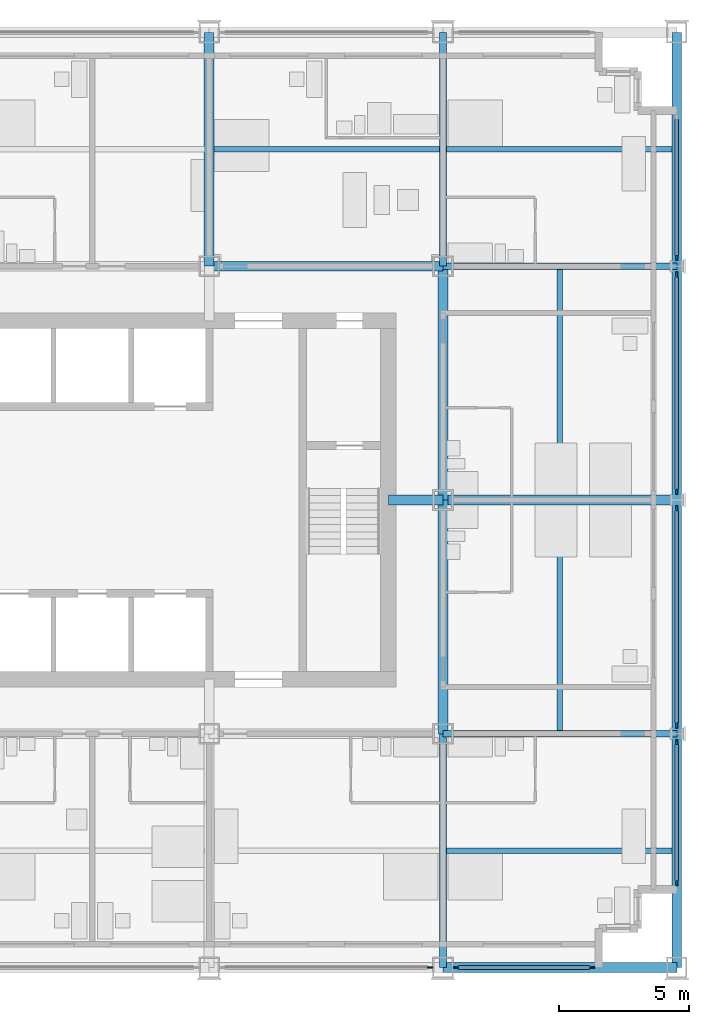
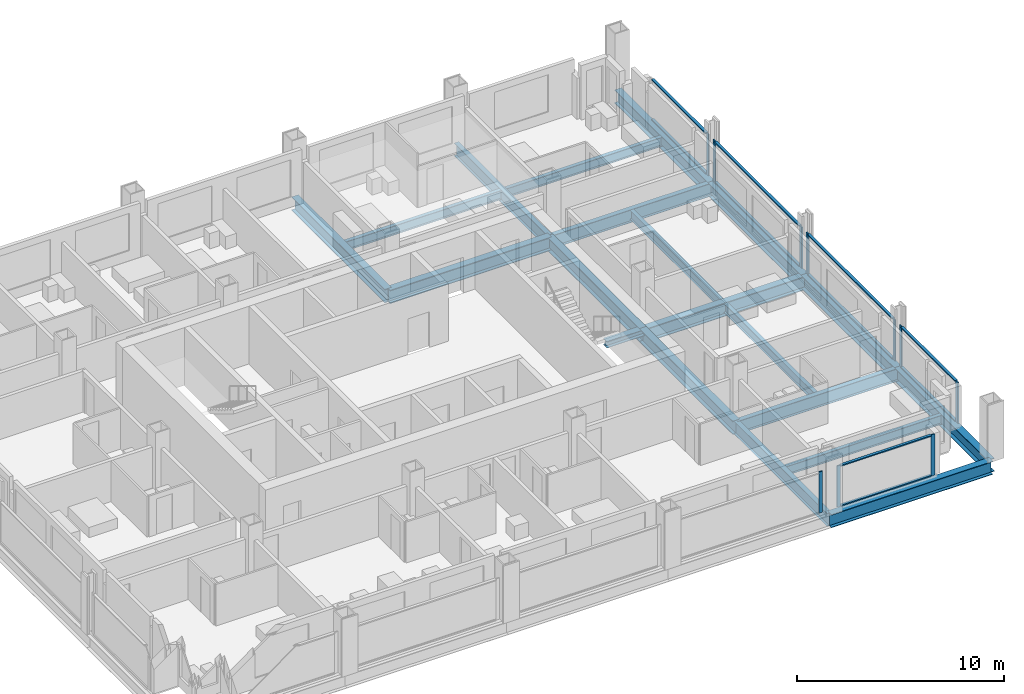
# One storey, part 5 of 16: 21 members, 19 beams, 6 elements without a shape of their own.
"""IFC4 building model written with IfcOpenShell, lengths in metres."""

from ifc_helpers import new_model, si_unit, direction, frame, origin, origin_2d, place, context, subcontext, project, spatial, rectangle, i_section, extrude, material, material_profile, profile_set, type_object, element, aggregate, save


model = new_model("IFC4")

# Units and contexts
model_context = context("Model", 3, precision=1e-05, world=origin(), true_north=direction((0.0, 1.0)))
body_context = subcontext(model_context, "Body", "Model", "MODEL_VIEW")
ifc_project = project(units=[si_unit("LENGTHUNIT", "METRE"), si_unit("AREAUNIT", "SQUARE_METRE"), si_unit("VOLUMEUNIT", "CUBIC_METRE"), si_unit("PLANEANGLEUNIT", "RADIAN"), si_unit("MASSUNIT", "GRAM", prefix="KILO")], contexts=[model_context])

# Site, building, storey
site_placement = place(None, origin())
site = spatial("IfcSite", under=ifc_project, at=site_placement, CompositionType="ELEMENT")
building_placement = place(site_placement, origin())
building = spatial("IfcBuilding", under=site, at=building_placement, Name="Loomwork Tower", CompositionType="ELEMENT")
storey_placement = place(building_placement, frame((0.0, 0.0, 135.0)))
storey = spatial("IfcBuildingStorey", under=building, at=storey_placement, Name="L36", CompositionType="ELEMENT", Elevation=135.0)

# Beams
ifc_material_1 = material(Name="Steel ASTM A992", Category="steel")
ifc_material_profile_1 = material_profile(ifc_material_1, i_section(OverallWidth=0.383544921875, OverallDepth=0.794921875, WebThickness=0.02099609375, FlangeThickness=0.0380859375, at=origin_2d()), Name="W30x235")
ifc_profile_set_1 = profile_set([ifc_material_profile_1], Name="Steel ASTM A992")
beam_type_1 = type_object("IfcBeamType", Name="CORE FLANK GIRDER W30x235", PredefinedType="BEAM", material=ifc_profile_set_1)
for number, where, z_axis, x_axis, name in (
    (1, (36.0, 18.0, -0.597412109375), (1.0, 0.0, 0.0), (0.0, 1.0, 0.0), "Core Flank Girder F/6-F/7 L36"),
    (2, (27.0, 27.0, -0.597412109375), (1.0, 0.0, 0.0), (0.0, 1.0, 0.0), "Core Flank Girder G/5-G/6 L36"),
    (3, (27.0, 27.0, -0.597412109375), (0.0, 1.0, 0.0), (-1.0, 0.0, 0.0), "Core Flank Girder G/5-H/5 L36"),
    (4, (36.0, 9.0, -0.597412109375), (0.0, 1.0, 0.0), (-1.0, 0.0, 0.0), "Core Flank Girder E/6-F/6 L36"),
    (5, (36.0, 18.0, -0.597412109375), (0.0, 1.0, 0.0), (-1.0, 0.0, 0.0), "Core Flank Girder F/6-G/6 L36"),
):
    element("IfcBeam", number, at=place(storey_placement, frame(where, z_axis=z_axis, x_axis=x_axis)), inside=storey, type_object=beam_type_1, Name=name, PredefinedType="BEAM", context=body_context, shape_type="SweptSolid", body=[
        extrude(i_section(OverallWidth=0.383544921875, OverallDepth=0.794921875, WebThickness=0.02099609375, FlangeThickness=0.0380859375, at=origin_2d()), origin(), (0.0, 0.0, 1.0), 9.0),
    ])

# Member
ifc_material_2 = material(Name="Steel ASTM A992", Category="steel")
ifc_material_profile_2 = material_profile(ifc_material_2, i_section(OverallWidth=0.373291015625, OverallDepth=0.373291015625, WebThickness=0.016357421875, FlangeThickness=0.026123046875, at=origin_2d()), Name="W14x132")
ifc_profile_set_2 = profile_set([ifc_material_profile_2], Name="Steel ASTM A992")
member_type_1 = type_object("IfcMemberType", Name="CORE LINK STRUT W14x132", PredefinedType="STRUT", material=ifc_profile_set_2)
member_1_placement = place(storey_placement, frame((36.0, 18.0, -0.38671875), z_axis=(-1.0, 0.0, 0.0), x_axis=(0.0, -1.0, 0.0)))
element("IfcMember", 6, at=member_1_placement, inside=storey, type_object=member_type_1, Name="Core link strut F/6-33.900,18.000 L36", PredefinedType="STRUT", context=body_context, shape_type="SweptSolid", body=[
    extrude(i_section(OverallWidth=0.373291015625, OverallDepth=0.373291015625, WebThickness=0.016357421875, FlangeThickness=0.026123046875, at=origin_2d()), origin(), (0.0, 0.0, 1.0), 2.10009765625),
])

# Beams
ifc_material_3 = material(Name="Steel ASTM A992", Category="steel")
ifc_material_profile_3 = material_profile(ifc_material_3, i_section(OverallWidth=0.2666015625, OverallDepth=0.761962890625, WebThickness=0.014404296875, FlangeThickness=0.021484375, at=origin_2d()), Name="W30x116")
ifc_profile_set_3 = profile_set([ifc_material_profile_3], Name="Steel ASTM A992")
beam_type_2 = type_object("IfcBeamType", Name="FLOOR GIRDER W30x116", PredefinedType="BEAM", material=ifc_profile_set_3)
for number, where, z_axis, x_axis, name in (
    (7, (36.0, 9.0, -0.5810546875), (1.0, 0.0, 0.0), (0.0, 1.0, 0.0), "Floor Girder E/6-E/7 L36"),
    (8, (36.0, 27.0, -0.5810546875), (1.0, 0.0, 0.0), (0.0, 1.0, 0.0), "Floor Girder G/6-G/7 L36"),
    (9, (36.0, 0.0, -0.5810546875), (0.0, 1.0, 0.0), (-1.0, 0.0, 0.0), "Floor Girder D/6-E/6 L36"),
    (10, (36.0, 27.0, -0.5810546875), (0.0, 1.0, 0.0), (-1.0, 0.0, 0.0), "Floor Girder G/6-H/6 L36"),
):
    element("IfcBeam", number, at=place(storey_placement, frame(where, z_axis=z_axis, x_axis=x_axis)), inside=storey, type_object=beam_type_2, Name=name, PredefinedType="BEAM", context=body_context, shape_type="SweptSolid", body=[
        extrude(i_section(OverallWidth=0.2666015625, OverallDepth=0.761962890625, WebThickness=0.014404296875, FlangeThickness=0.021484375, at=origin_2d()), origin(), (0.0, 0.0, 1.0), 9.0),
    ])
ifc_material_4 = material(Name="Steel ASTM A992", Category="steel")
ifc_material_profile_4 = material_profile(ifc_material_4, i_section(OverallWidth=0.2109375, OverallDepth=0.53857421875, WebThickness=0.011474609375, FlangeThickness=0.018798828125, at=origin_2d()), Name="W21x73")
ifc_profile_set_4 = profile_set([ifc_material_profile_4], Name="Steel ASTM A992")
beam_type_3 = type_object("IfcBeamType", Name="FLOOR JOIST W21x73", PredefinedType="JOIST", material=ifc_profile_set_4)
beam_1_placement = place(storey_placement, frame((27.19091796875, 31.5, -0.46923828125), z_axis=(1.0, 0.0, 0.0), x_axis=(0.0, 1.0, 0.0)))
element("IfcBeam", 11, at=beam_1_placement, inside=storey, type_object=beam_type_3, Name="Floor Joist 27.000,31.500-36.000,31.500 L36", PredefinedType="JOIST", context=body_context, shape_type="SweptSolid", body=[
    extrude(i_section(OverallWidth=0.2109375, OverallDepth=0.53857421875, WebThickness=0.011474609375, FlangeThickness=0.018798828125, at=origin_2d()), origin(), (0.0, 0.0, 1.0), 8.676025390625),
])
beam_2_placement = place(storey_placement, frame((36.133056640625, 4.5, -0.46923828125), z_axis=(1.0, 0.0, 0.0), x_axis=(0.0, 1.0, 0.0)))
element("IfcBeam", 12, at=beam_2_placement, inside=storey, type_object=beam_type_3, Name="Floor Joist 36.000,4.500-45.000,4.500 L36", PredefinedType="JOIST", context=body_context, shape_type="SweptSolid", body=[
    extrude(i_section(OverallWidth=0.2109375, OverallDepth=0.53857421875, WebThickness=0.011474609375, FlangeThickness=0.018798828125, at=origin_2d()), origin(), (0.0, 0.0, 1.0), 8.677001953125),
])
for number, where, z_axis, x_axis, name in (
    (13, (40.5, 9.133056640625, -0.46923828125), (0.0, 1.0, 0.0), (-1.0, 0.0, 0.0), "Floor Joist 40.500,9.000-40.500,18.000 L36"),
    (14, (40.5, 18.19091796875, -0.46923828125), (0.0, 1.0, 0.0), (-1.0, 0.0, 0.0), "Floor Joist 40.500,18.000-40.500,27.000 L36"),
):
    element("IfcBeam", number, at=place(storey_placement, frame(where, z_axis=z_axis, x_axis=x_axis)), inside=storey, type_object=beam_type_3, Name=name, PredefinedType="JOIST", context=body_context, shape_type="SweptSolid", body=[
        extrude(i_section(OverallWidth=0.2109375, OverallDepth=0.53857421875, WebThickness=0.011474609375, FlangeThickness=0.018798828125, at=origin_2d()), origin(), (0.0, 0.0, 1.0), 8.676025390625),
    ])
beam_3_placement = place(storey_placement, frame((36.133056640625, 31.5, -0.46923828125), z_axis=(1.0, 0.0, 0.0), x_axis=(0.0, 1.0, 0.0)))
element("IfcBeam", 15, at=beam_3_placement, inside=storey, type_object=beam_type_3, Name="Floor Joist 36.000,31.500-45.000,31.500 L36", PredefinedType="JOIST", context=body_context, shape_type="SweptSolid", body=[
    extrude(i_section(OverallWidth=0.2109375, OverallDepth=0.53857421875, WebThickness=0.011474609375, FlangeThickness=0.018798828125, at=origin_2d()), origin(), (0.0, 0.0, 1.0), 8.677001953125),
])

# Curtain wall, member
ifc_material_5 = material(Name="Aluminium curtain wall frame", Category="aluminium")
curtain_wall_type = type_object("IfcCurtainWallType", Name="Outer skin glazing hotel", PredefinedType="NOTDEFINED", material=ifc_material_5)
curtain_wall_1_placement = place(storey_placement, origin())
curtain_wall_1 = element("IfcCurtainWall", 16, at=curtain_wall_1_placement, inside=storey, type_object=curtain_wall_type, Name="Outer skin glazing hotel cw/S-27", PredefinedType="NOTDEFINED")
ifc_material_6 = material(Name="Aluminium curtain wall frame", Category="aluminium")
ifc_material_profile_5 = material_profile(ifc_material_6, rectangle(XDim=0.06494140625, YDim=0.199951171875, at=origin_2d()), Name="AL 65x200")
ifc_profile_set_5 = profile_set([ifc_material_profile_5], Name="Aluminium curtain wall frame")
member_type_2 = type_object("IfcMemberType", Name="Outer skin glazing hotel mullion", PredefinedType="MULLION", material=ifc_profile_set_5)
member_2_placement = place(storey_placement, frame((35.5, 0.0, 0.0), z_axis=(0.0, 0.0, 1.0), x_axis=(0.0, 1.0, 0.0)))
member_2 = element("IfcMember", 17, at=member_2_placement, type_object=member_type_2, Name="CW1 mullion 2", PredefinedType="MULLION", context=body_context, shape_type="SweptSolid", body=[
    extrude(rectangle(XDim=0.06494140625, YDim=0.199951171875, at=origin_2d()), origin(), (0.0, 0.0, 1.0), 2.420166015625),
])
aggregate(curtain_wall_1, [member_2])

# Curtain wall, members
curtain_wall_2_placement = place(storey_placement, origin())
curtain_wall_2 = element("IfcCurtainWall", 18, at=curtain_wall_2_placement, inside=storey, type_object=curtain_wall_type, Name="Outer skin glazing hotel cw/S-36", PredefinedType="NOTDEFINED")
member_3_placement = place(storey_placement, frame((36.5, 0.0, 0.0), z_axis=(0.0, 0.0, 1.0), x_axis=(0.0, 1.0, 0.0)))
member_3 = element("IfcMember", 19, at=member_3_placement, type_object=member_type_2, Name="CW1 mullion 1", PredefinedType="MULLION", context=body_context, shape_type="SweptSolid", body=[
    extrude(rectangle(XDim=0.06494140625, YDim=0.199951171875, at=origin_2d()), origin(), (0.0, 0.0, 1.0), 2.420166015625),
])
member_4_placement = place(storey_placement, frame((41.75, 0.0, 0.0), z_axis=(0.0, 0.0, 1.0), x_axis=(0.0, 1.0, 0.0)))
member_4 = element("IfcMember", 20, at=member_4_placement, type_object=member_type_2, Name="CW1 mullion 2", PredefinedType="MULLION", context=body_context, shape_type="SweptSolid", body=[
    extrude(rectangle(XDim=0.06494140625, YDim=0.199951171875, at=origin_2d()), origin(), (0.0, 0.0, 1.0), 2.420166015625),
])

curtain_wall_3_placement = place(storey_placement, origin())
curtain_wall_3 = element("IfcCurtainWall", 21, at=curtain_wall_3_placement, inside=storey, type_object=curtain_wall_type, Name="Outer skin glazing hotel cw/E-0", PredefinedType="NOTDEFINED")
member_5_placement = place(storey_placement, frame((45.0, 3.25, 0.0), z_axis=(0.0, 0.0, 1.0), x_axis=(-1.0, 0.0, 0.0)))
member_5 = element("IfcMember", 22, at=member_5_placement, type_object=member_type_2, Name="CW1 mullion 1", PredefinedType="MULLION", context=body_context, shape_type="SweptSolid", body=[
    extrude(rectangle(XDim=0.06494140625, YDim=0.199951171875, at=origin_2d()), origin(), (0.0, 0.0, 1.0), 2.420166015625),
])
member_6_placement = place(storey_placement, frame((45.0, 8.678955078125, 0.0), z_axis=(0.0, 0.0, 1.0), x_axis=(-1.0, 0.0, 0.0)))
member_6 = element("IfcMember", 23, at=member_6_placement, type_object=member_type_2, Name="CW1 mullion 2", PredefinedType="MULLION", context=body_context, shape_type="SweptSolid", body=[
    extrude(rectangle(XDim=0.06494140625, YDim=0.199951171875, at=origin_2d()), origin(), (0.0, 0.0, 1.0), 2.420166015625),
])

curtain_wall_4_placement = place(storey_placement, origin())
curtain_wall_4 = element("IfcCurtainWall", 24, at=curtain_wall_4_placement, inside=storey, type_object=curtain_wall_type, Name="Outer skin glazing hotel cw/E-9", PredefinedType="NOTDEFINED")
member_7_placement = place(storey_placement, frame((45.0, 9.321044921875, 0.0), z_axis=(0.0, 0.0, 1.0), x_axis=(-1.0, 0.0, 0.0)))
member_7 = element("IfcMember", 25, at=member_7_placement, type_object=member_type_2, Name="CW1 mullion 1", PredefinedType="MULLION", context=body_context, shape_type="SweptSolid", body=[
    extrude(rectangle(XDim=0.06494140625, YDim=0.199951171875, at=origin_2d()), origin(), (0.0, 0.0, 1.0), 2.420166015625),
])
member_8_placement = place(storey_placement, frame((45.0, 17.678955078125, 0.0), z_axis=(0.0, 0.0, 1.0), x_axis=(-1.0, 0.0, 0.0)))
member_8 = element("IfcMember", 26, at=member_8_placement, type_object=member_type_2, Name="CW1 mullion 2", PredefinedType="MULLION", context=body_context, shape_type="SweptSolid", body=[
    extrude(rectangle(XDim=0.06494140625, YDim=0.199951171875, at=origin_2d()), origin(), (0.0, 0.0, 1.0), 2.420166015625),
])

curtain_wall_5_placement = place(storey_placement, origin())
curtain_wall_5 = element("IfcCurtainWall", 27, at=curtain_wall_5_placement, inside=storey, type_object=curtain_wall_type, Name="Outer skin glazing hotel cw/E-18", PredefinedType="NOTDEFINED")
member_9_placement = place(storey_placement, frame((45.0, 18.321044921875, 0.0), z_axis=(0.0, 0.0, 1.0), x_axis=(-1.0, 0.0, 0.0)))
member_9 = element("IfcMember", 28, at=member_9_placement, type_object=member_type_2, Name="CW1 mullion 1", PredefinedType="MULLION", context=body_context, shape_type="SweptSolid", body=[
    extrude(rectangle(XDim=0.06494140625, YDim=0.199951171875, at=origin_2d()), origin(), (0.0, 0.0, 1.0), 2.420166015625),
])
member_10_placement = place(storey_placement, frame((45.0, 26.678955078125, 0.0), z_axis=(0.0, 0.0, 1.0), x_axis=(-1.0, 0.0, 0.0)))
member_10 = element("IfcMember", 29, at=member_10_placement, type_object=member_type_2, Name="CW1 mullion 2", PredefinedType="MULLION", context=body_context, shape_type="SweptSolid", body=[
    extrude(rectangle(XDim=0.06494140625, YDim=0.199951171875, at=origin_2d()), origin(), (0.0, 0.0, 1.0), 2.420166015625),
])

# Curtain wall, member
curtain_wall_6_placement = place(storey_placement, origin())
curtain_wall_6 = element("IfcCurtainWall", 30, at=curtain_wall_6_placement, inside=storey, type_object=curtain_wall_type, Name="Outer skin glazing hotel cw/E-27", PredefinedType="NOTDEFINED")
member_11_placement = place(storey_placement, frame((45.0, 27.321044921875, 0.0), z_axis=(0.0, 0.0, 1.0), x_axis=(-1.0, 0.0, 0.0)))
member_11 = element("IfcMember", 31, at=member_11_placement, type_object=member_type_2, Name="CW1 mullion 1", PredefinedType="MULLION", context=body_context, shape_type="SweptSolid", body=[
    extrude(rectangle(XDim=0.06494140625, YDim=0.199951171875, at=origin_2d()), origin(), (0.0, 0.0, 1.0), 2.420166015625),
])

# Member
ifc_material_7 = material(Name="Aluminium curtain wall frame", Category="aluminium")
ifc_material_profile_6 = material_profile(ifc_material_7, rectangle(XDim=0.14990234375, YDim=0.06494140625, at=origin_2d()), Name="AL 65x150")
ifc_profile_set_6 = profile_set([ifc_material_profile_6], Name="Aluminium curtain wall frame")
member_type_3 = type_object("IfcMemberType", Name="Outer skin glazing hotel transom", PredefinedType="USERDEFINED", material=ifc_profile_set_6)
member_12_placement = place(storey_placement, frame((36.60009765625, 0.0, 0.032470703125), z_axis=(1.0, 0.0, 0.0), x_axis=(0.0, 1.0, 0.0)))
member_12 = element("IfcMember", 32, at=member_12_placement, type_object=member_type_3, Name="CW1 transom 1.1", ObjectType="TRANSOM", PredefinedType="USERDEFINED", context=body_context, shape_type="SweptSolid", body=[
    extrude(rectangle(XDim=0.14990234375, YDim=0.06494140625, at=origin_2d()), origin(), (0.0, 0.0, 1.0), 5.0498046875),
])

member_13_placement = place(storey_placement, frame((36.60009765625, 0.0, 2.3876953125), z_axis=(1.0, 0.0, 0.0), x_axis=(0.0, 1.0, 0.0)))
member_13 = element("IfcMember", 33, at=member_13_placement, type_object=member_type_3, Name="CW1 transom 1.2", ObjectType="TRANSOM", PredefinedType="USERDEFINED", context=body_context, shape_type="SweptSolid", body=[
    extrude(rectangle(XDim=0.14990234375, YDim=0.06494140625, at=origin_2d()), origin(), (0.0, 0.0, 1.0), 5.0498046875),
])

aggregate(curtain_wall_2, [member_3, member_4, member_12, member_13])

member_14_placement = place(storey_placement, frame((45.0, 3.35009765625, 0.032470703125), z_axis=(0.0, 1.0, 0.0), x_axis=(-1.0, 0.0, 0.0)))
member_14 = element("IfcMember", 34, at=member_14_placement, type_object=member_type_3, Name="CW1 transom 1.1", ObjectType="TRANSOM", PredefinedType="USERDEFINED", context=body_context, shape_type="SweptSolid", body=[
    extrude(rectangle(XDim=0.14990234375, YDim=0.06494140625, at=origin_2d()), origin(), (0.0, 0.0, 1.0), 5.22900390625),
])

member_15_placement = place(storey_placement, frame((45.0, 3.35009765625, 2.3876953125), z_axis=(0.0, 1.0, 0.0), x_axis=(-1.0, 0.0, 0.0)))
member_15 = element("IfcMember", 35, at=member_15_placement, type_object=member_type_3, Name="CW1 transom 1.2", ObjectType="TRANSOM", PredefinedType="USERDEFINED", context=body_context, shape_type="SweptSolid", body=[
    extrude(rectangle(XDim=0.14990234375, YDim=0.06494140625, at=origin_2d()), origin(), (0.0, 0.0, 1.0), 5.22900390625),
])

aggregate(curtain_wall_3, [member_5, member_6, member_14, member_15])

member_16_placement = place(storey_placement, frame((45.0, 9.4208984375, 0.032470703125), z_axis=(0.0, 1.0, 0.0), x_axis=(-1.0, 0.0, 0.0)))
member_16 = element("IfcMember", 36, at=member_16_placement, type_object=member_type_3, Name="CW1 transom 1.1", ObjectType="TRANSOM", PredefinedType="USERDEFINED", context=body_context, shape_type="SweptSolid", body=[
    extrude(rectangle(XDim=0.14990234375, YDim=0.06494140625, at=origin_2d()), origin(), (0.0, 0.0, 1.0), 8.158203125),
])

member_17_placement = place(storey_placement, frame((45.0, 9.4208984375, 2.3876953125), z_axis=(0.0, 1.0, 0.0), x_axis=(-1.0, 0.0, 0.0)))
member_17 = element("IfcMember", 37, at=member_17_placement, type_object=member_type_3, Name="CW1 transom 1.2", ObjectType="TRANSOM", PredefinedType="USERDEFINED", context=body_context, shape_type="SweptSolid", body=[
    extrude(rectangle(XDim=0.14990234375, YDim=0.06494140625, at=origin_2d()), origin(), (0.0, 0.0, 1.0), 8.158203125),
])

aggregate(curtain_wall_4, [member_7, member_8, member_16, member_17])

member_18_placement = place(storey_placement, frame((45.0, 18.4208984375, 0.032470703125), z_axis=(0.0, 1.0, 0.0), x_axis=(-1.0, 0.0, 0.0)))
member_18 = element("IfcMember", 38, at=member_18_placement, type_object=member_type_3, Name="CW1 transom 1.1", ObjectType="TRANSOM", PredefinedType="USERDEFINED", context=body_context, shape_type="SweptSolid", body=[
    extrude(rectangle(XDim=0.14990234375, YDim=0.06494140625, at=origin_2d()), origin(), (0.0, 0.0, 1.0), 8.158203125),
])

member_19_placement = place(storey_placement, frame((45.0, 18.4208984375, 2.3876953125), z_axis=(0.0, 1.0, 0.0), x_axis=(-1.0, 0.0, 0.0)))
member_19 = element("IfcMember", 39, at=member_19_placement, type_object=member_type_3, Name="CW1 transom 1.2", ObjectType="TRANSOM", PredefinedType="USERDEFINED", context=body_context, shape_type="SweptSolid", body=[
    extrude(rectangle(XDim=0.14990234375, YDim=0.06494140625, at=origin_2d()), origin(), (0.0, 0.0, 1.0), 8.158203125),
])

aggregate(curtain_wall_5, [member_9, member_10, member_18, member_19])

member_20_placement = place(storey_placement, frame((45.0, 27.4208984375, 0.032470703125), z_axis=(0.0, 1.0, 0.0), x_axis=(-1.0, 0.0, 0.0)))
member_20 = element("IfcMember", 40, at=member_20_placement, type_object=member_type_3, Name="CW1 transom 1.1", ObjectType="TRANSOM", PredefinedType="USERDEFINED", context=body_context, shape_type="SweptSolid", body=[
    extrude(rectangle(XDim=0.14990234375, YDim=0.06494140625, at=origin_2d()), origin(), (0.0, 0.0, 1.0), 5.22900390625),
])

member_21_placement = place(storey_placement, frame((45.0, 27.4208984375, 2.3876953125), z_axis=(0.0, 1.0, 0.0), x_axis=(-1.0, 0.0, 0.0)))
member_21 = element("IfcMember", 41, at=member_21_placement, type_object=member_type_3, Name="CW1 transom 1.2", ObjectType="TRANSOM", PredefinedType="USERDEFINED", context=body_context, shape_type="SweptSolid", body=[
    extrude(rectangle(XDim=0.14990234375, YDim=0.06494140625, at=origin_2d()), origin(), (0.0, 0.0, 1.0), 5.22900390625),
])

aggregate(curtain_wall_6, [member_11, member_20, member_21])

# Beams
ifc_material_8 = material(Name="Steel ASTM A992", Category="steel")
ifc_material_profile_7 = material_profile(ifc_material_8, i_section(OverallWidth=0.381103515625, OverallDepth=0.77978515625, WebThickness=0.01806640625, FlangeThickness=0.0302734375, at=origin_2d()), Name="W30x191")
ifc_profile_set_7 = profile_set([ifc_material_profile_7], Name="Steel ASTM A992")
beam_type_4 = type_object("IfcBeamType", Name="SPANDREL GIRDER W30x191", PredefinedType="SPANDREL", material=ifc_profile_set_7)
for number, where, z_axis, x_axis, name in (
    (42, (36.0, 0.0, -0.58984375), (1.0, 0.0, 0.0), (0.0, 1.0, 0.0), "Spandrel Girder D/6-D/7 L36"),
    (43, (45.0, 0.0, -0.58984375), (0.0, 1.0, 0.0), (-1.0, 0.0, 0.0), "Spandrel Girder D/7-E/7 L36"),
    (44, (45.0, 9.0, -0.58984375), (0.0, 1.0, 0.0), (-1.0, 0.0, 0.0), "Spandrel Girder E/7-F/7 L36"),
    (45, (45.0, 18.0, -0.58984375), (0.0, 1.0, 0.0), (-1.0, 0.0, 0.0), "Spandrel Girder F/7-G/7 L36"),
    (46, (45.0, 27.0, -0.58984375), (0.0, 1.0, 0.0), (-1.0, 0.0, 0.0), "Spandrel Girder G/7-H/7 L36"),
):
    element("IfcBeam", number, at=place(storey_placement, frame(where, z_axis=z_axis, x_axis=x_axis)), inside=storey, type_object=beam_type_4, Name=name, PredefinedType="SPANDREL", context=body_context, shape_type="SweptSolid", body=[
        extrude(i_section(OverallWidth=0.381103515625, OverallDepth=0.77978515625, WebThickness=0.01806640625, FlangeThickness=0.0302734375, at=origin_2d()), origin(), (0.0, 0.0, 1.0), 9.0),
    ])

save(model, "model.ifc")
